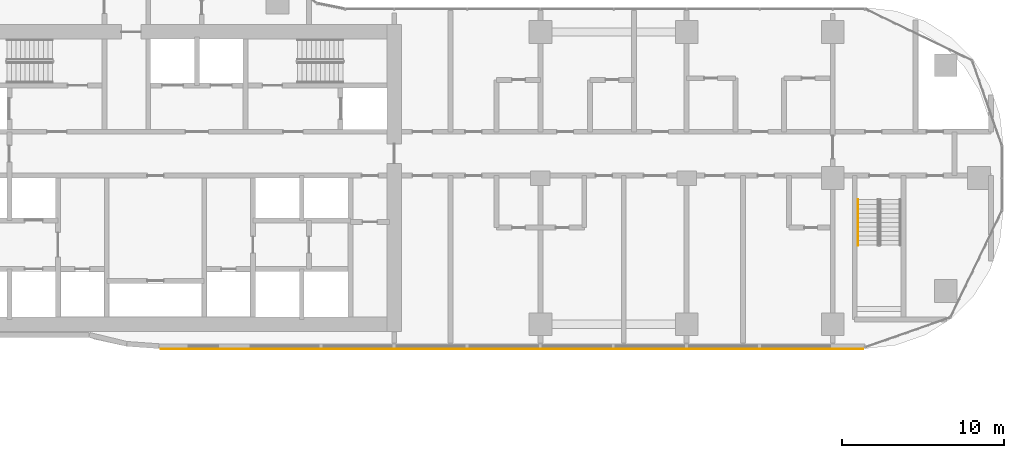
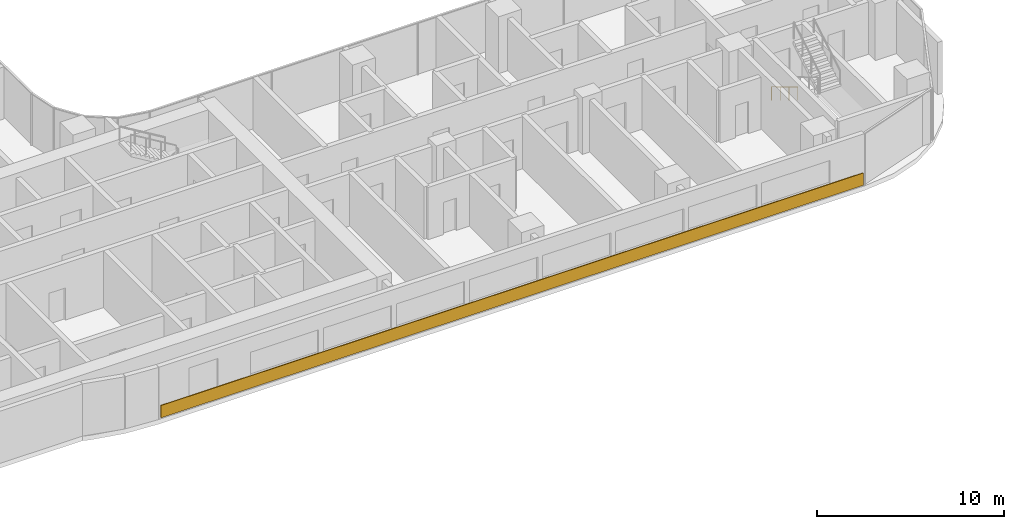
# One storey, part 29 of 33: 1 covering, 1 railing.
"""IFC4 building model written with IfcOpenShell, lengths in metres."""

from ifc_helpers import new_model, si_unit, direction, frame, origin, origin_2d, place, context, subcontext, project, spatial, rectangle, circle, extrude, material, layer, layer_set, type_object, element, save


model = new_model("IFC4")

# Units and contexts
model_context = context("Model", 3, precision=1e-05, world=origin(), true_north=direction((0.0, 1.0)))
body_context = subcontext(model_context, "Body", "Model", "MODEL_VIEW")
ifc_project = project(units=[si_unit("LENGTHUNIT", "METRE"), si_unit("AREAUNIT", "SQUARE_METRE"), si_unit("VOLUMEUNIT", "CUBIC_METRE"), si_unit("PLANEANGLEUNIT", "RADIAN"), si_unit("MASSUNIT", "GRAM", prefix="KILO")], contexts=[model_context])

# Site, building, storey
site_placement = place(None, origin())
site = spatial("IfcSite", under=ifc_project, at=site_placement, CompositionType="ELEMENT")
building_placement = place(site_placement, origin())
building = spatial("IfcBuilding", under=site, at=building_placement, Name="Ogive Portal Towers", CompositionType="ELEMENT")
storey_placement = place(building_placement, frame((0.0, 0.0, 77.89990234375)))
storey = spatial("IfcBuildingStorey", under=building, at=storey_placement, Name="L18", CompositionType="ELEMENT", Elevation=77.89990234375)

# Railing
ifc_material_1 = material(Name="Stainless steel handrail", Category="steel")
railing_type = type_object("IfcRailingType", Name="INT-HANDRAIL", PredefinedType="HANDRAIL", material=ifc_material_1)
railing_placement = place(storey_placement, frame((87.050048828125, 29.169921875, 0.168212890625)))
element("IfcRailing", 1, at=railing_placement, inside=storey, type_object=railing_type, Name="L18 ST-A4 stair handrail 1", PredefinedType="HANDRAIL", context=body_context, shape_type="SweptSolid", body=[
    extrude(circle(Radius=0.02392578125, at=origin_2d()), frame((0.0, 0.0, 0.8759765625), z_axis=(0.0, -0.857222391501, 0.514946377315), x_axis=(1.0, 0.0, 0.0)), (0.0, 0.0, 1.0), 3.26611328125),
    extrude(circle(Radius=0.02099609375, at=origin_2d()), origin(), (0.0, 0.0, 1.0), 0.851806640625),
    extrude(circle(Radius=0.02099609375, at=origin_2d()), frame((0.0, -0.933349609375, 0.560546875)), (0.0, 0.0, 1.0), 0.851806640625),
    extrude(circle(Radius=0.02099609375, at=origin_2d()), frame((0.0, -1.866455078125, 1.121337890625)), (0.0, 0.0, 1.0), 0.851806640625),
    extrude(circle(Radius=0.02099609375, at=origin_2d()), frame((0.0, -2.7998046875, 1.681884765625)), (0.0, 0.0, 1.0), 0.851806640625),
])

# Covering
ifc_material_2 = material(Name="Limestone cladding on lightweight block wall", Category="masonry")
ifc_layer = layer(ifc_material_2, 0.050048828125)
ifc_layer_set = layer_set([ifc_layer], Name="SCREEN PERFORATED STONE")
covering_type = type_object("IfcCoveringType", Name="SCREEN PERFORATED STONE", PredefinedType="CLADDING", material=ifc_layer_set)
covering_placement = place(storey_placement, frame((65.74853515625, 19.97509765625, 0.10009765625), z_axis=(0.0, 0.0, 1.0), x_axis=(1.0, 0.0, 0.0)))
element("IfcCovering", 2, at=covering_placement, inside=storey, type_object=covering_type, Name="Tracery screen", PredefinedType="CLADDING", context=body_context, shape_type="SweptSolid", body=[
    extrude(rectangle(XDim=43.275634765625, YDim=0.050048828125, at=origin_2d()), origin(), (0.0, 0.0, 1.0), 0.800048828125),
])

save(model, "model.ifc")
